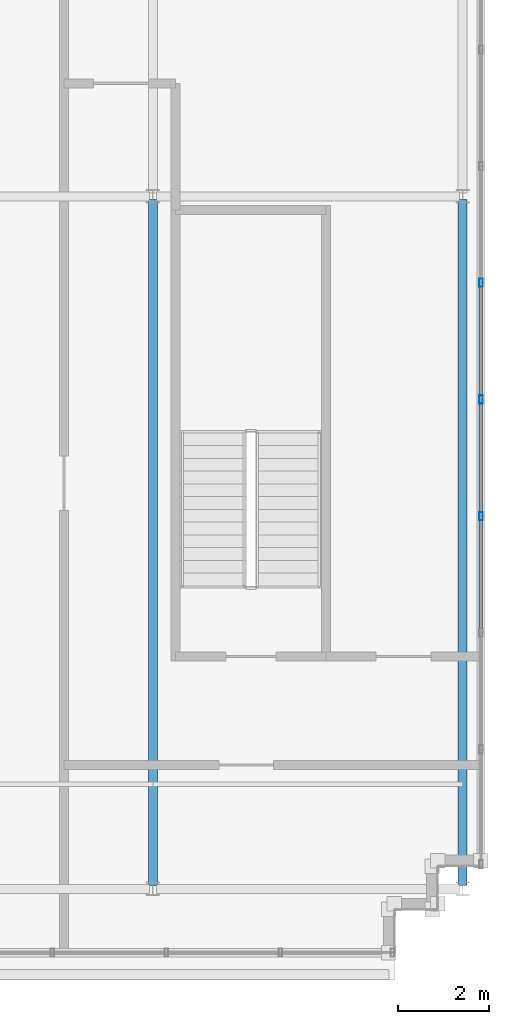
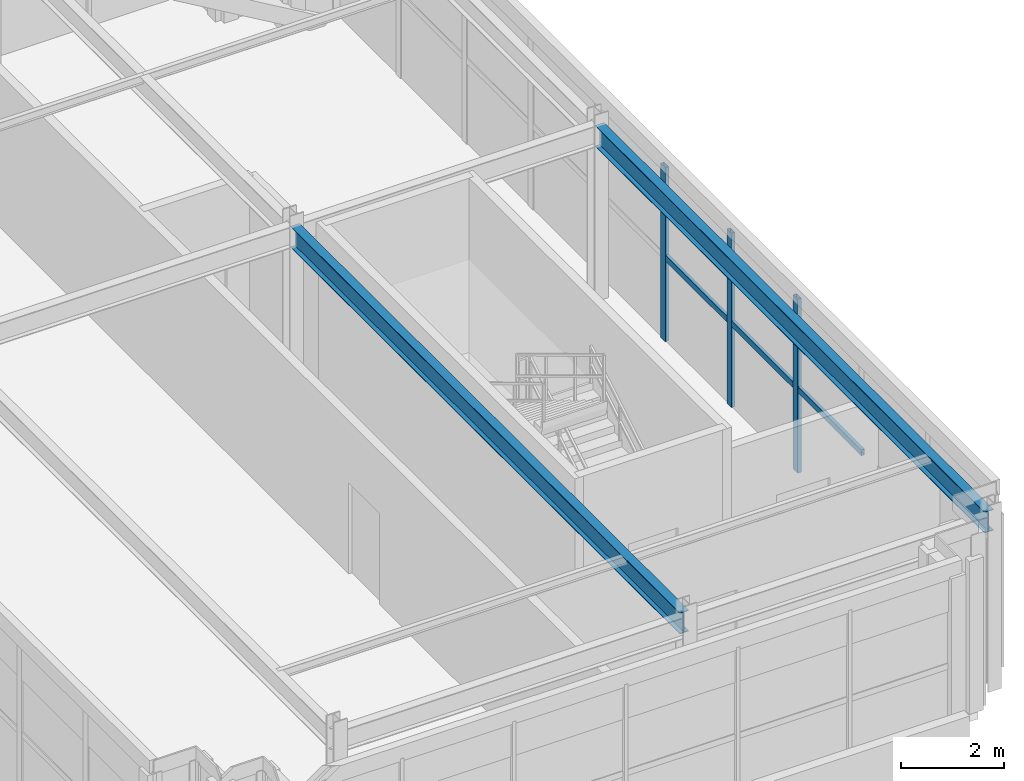
# One storey, part 16 of 28: 6 members, 2 beams, 1 element without a shape of its own.
"""IFC4 building model written with IfcOpenShell, lengths in metres."""

from ifc_helpers import new_model, si_unit, direction, frame, origin, origin_2d, place, context, subcontext, project, spatial, hollow_rectangle, i_section, extrude, source, transform, mapped, material, material_profile, profile_set, type_object, element, aggregate, save


model = new_model("IFC4")

# Units and contexts
model_context = context("Model", 3, precision=1e-05, world=origin(), true_north=direction((0.0, 1.0)))
body_context = subcontext(model_context, "Body", "Model", "MODEL_VIEW")
ifc_project = project(units=[si_unit("LENGTHUNIT", "METRE"), si_unit("AREAUNIT", "SQUARE_METRE"), si_unit("VOLUMEUNIT", "CUBIC_METRE"), si_unit("PLANEANGLEUNIT", "RADIAN"), si_unit("MASSUNIT", "GRAM", prefix="KILO")], contexts=[model_context])

# Site, building, storey
site_placement = place(None, origin())
site = spatial("IfcSite", under=ifc_project, at=site_placement, CompositionType="ELEMENT")
building_placement = place(site_placement, origin())
building = spatial("IfcBuilding", under=site, at=building_placement, Name="Trelvane Seafront Commons", CompositionType="ELEMENT")
storey_placement = place(building_placement, frame((0.0, 0.0, 312.300048828125)))
storey = spatial("IfcBuildingStorey", under=building, at=storey_placement, Name="L81", CompositionType="ELEMENT", Elevation=312.300048828125)

# Beams
ifc_material_1 = material(Name="Steel SM355 (S355)", Category="steel")
ifc_material_profile_1 = material_profile(ifc_material_1, i_section(OverallWidth=0.199951171875, OverallDepth=0.5, WebThickness=0.010009765625, FlangeThickness=0.01611328125, at=origin_2d()), Name="H-500x200x10x16")
ifc_profile_set_1 = profile_set([ifc_material_profile_1], Name="Steel SM355 (S355)")
beam_type = type_object("IfcBeamType", Name="STR-BM-H500", PredefinedType="BEAM", material=ifc_profile_set_1)
shared_shape_1 = source(origin(), body_context, "Body", "SweptSolid", [
    extrude(i_section(OverallWidth=0.199951171875, OverallDepth=0.5, WebThickness=0.010009765625, FlangeThickness=0.01611328125, at=origin_2d()), origin(), (0.0, 0.0, 1.0), 15.050048828125),
])
for number, where, z_axis, x_axis, name in (
    (1, (58.800048828125, 18.27490234375, 3.85986328125), (0.0, 1.0, 0.0), (-1.0, 0.0, 0.0), "L81 Primary Girder G-21"),
    (2, (65.60009765625, 18.27490234375, 3.85986328125), (0.0, 1.0, 0.0), (-1.0, 0.0, 0.0), "L81 Primary Girder G-23"),
):
    element("IfcBeam", number, at=place(storey_placement, frame(where, z_axis=z_axis, x_axis=x_axis)), inside=storey, type_object=beam_type, Name=name, PredefinedType="BEAM", context=body_context, shape_type="MappedRepresentation", body=[
        mapped(shared_shape_1, transform((0.0, 0.0, 0.0), x_axis=(1.0, 0.0, 0.0), y_axis=(0.0, 1.0, 0.0), z_axis=(0.0, 0.0, 1.0), scale=1.0)),
    ])

# Curtain wall, members
ifc_material_2 = material(Name="Anodised pale-silver aluminium", Category="aluminium")
curtain_wall_type = type_object("IfcCurtainWallType", Name="ARCH-CW6-CROWN", PredefinedType="NOTDEFINED", material=ifc_material_2)
curtain_wall_placement = place(storey_placement, origin())
curtain_wall = element("IfcCurtainWall", 3, at=curtain_wall_placement, inside=storey, type_object=curtain_wall_type, Name="CW-L81-0150", PredefinedType="NOTDEFINED")
ifc_material_profile_2 = material_profile(ifc_material_2, hollow_rectangle(XDim=0.080078125, YDim=0.179931640625, WallThickness=0.00439453125, at=origin_2d()), Name="MULL-80x180x4.5")
ifc_profile_set_2 = profile_set([ifc_material_profile_2], Name="Anodised pale-silver aluminium")
member_type_1 = type_object("IfcMemberType", Name="ARCH-CW-MULL-180", PredefinedType="MULLION", material=ifc_profile_set_2)
shared_shape_2 = source(origin(), body_context, "Body", "SweptSolid", [
    extrude(hollow_rectangle(XDim=0.080078125, YDim=0.179931640625, WallThickness=0.00439453125, at=origin_2d()), origin(), (0.0, 0.0, 1.0), 4.10986328125),
])
member_1_placement = place(storey_placement, frame((66.0, 31.5, 0.0), z_axis=(0.0, 0.0, 1.0), x_axis=(1.0, 0.0, 0.0)))
member_1 = element("IfcMember", 4, at=member_1_placement, type_object=member_type_1, Name="CW-L81-0150-M05", PredefinedType="MULLION", context=body_context, shape_type="MappedRepresentation", body=[
    mapped(shared_shape_2, transform((0.0, 0.0, 0.0), x_axis=(1.0, 0.0, 0.0), y_axis=(0.0, 1.0, 0.0), z_axis=(0.0, 0.0, 1.0), scale=1.0)),
])
member_2_placement = place(storey_placement, frame((66.0, 28.93994140625, 0.0), z_axis=(0.0, 0.0, 1.0), x_axis=(1.0, 0.0, 0.0)))
member_2 = element("IfcMember", 5, at=member_2_placement, type_object=member_type_1, Name="CW-L81-0150-M06", PredefinedType="MULLION", context=body_context, shape_type="MappedRepresentation", body=[
    mapped(shared_shape_2, transform((0.0, 0.0, 0.0), x_axis=(1.0, 0.0, 0.0), y_axis=(0.0, 1.0, 0.0), z_axis=(0.0, 0.0, 1.0), scale=1.0)),
])
member_3_placement = place(storey_placement, frame((66.0, 26.3798828125, 0.0), z_axis=(0.0, 0.0, 1.0), x_axis=(1.0, 0.0, 0.0)))
member_3 = element("IfcMember", 6, at=member_3_placement, type_object=member_type_1, Name="CW-L81-0150-M07", PredefinedType="MULLION", context=body_context, shape_type="MappedRepresentation", body=[
    mapped(shared_shape_2, transform((0.0, 0.0, 0.0), x_axis=(1.0, 0.0, 0.0), y_axis=(0.0, 1.0, 0.0), z_axis=(0.0, 0.0, 1.0), scale=1.0)),
])
ifc_material_profile_3 = material_profile(ifc_material_2, hollow_rectangle(XDim=0.074951171875, YDim=0.139892578125, WallThickness=0.00390625, at=origin_2d()), Name="TRAN-75x140x4")
ifc_profile_set_3 = profile_set([ifc_material_profile_3], Name="Anodised pale-silver aluminium")
member_type_2 = type_object("IfcMemberType", Name="ARCH-CW-TRAN-140", PredefinedType="USERDEFINED", material=ifc_profile_set_3)
shared_shape_3 = source(origin(), body_context, "Body", "SweptSolid", [
    extrude(hollow_rectangle(XDim=0.074951171875, YDim=0.139892578125, WallThickness=0.00390625, at=origin_2d()), origin(), (0.0, 0.0, 1.0), 2.5361328125),
])
member_4_placement = place(storey_placement, frame((66.0, 31.488037109375, 1.972900390625), z_axis=(0.0, -1.0, 0.0), x_axis=(1.0, 0.0, 0.0)))
member_4 = element("IfcMember", 7, at=member_4_placement, type_object=member_type_2, Name="CW-L81-0150-T05", ObjectType="TRANSOM", PredefinedType="USERDEFINED", context=body_context, shape_type="MappedRepresentation", body=[
    mapped(shared_shape_3, transform((0.0, 0.0, 0.0), x_axis=(1.0, 0.0, 0.0), y_axis=(0.0, 1.0, 0.0), z_axis=(0.0, 0.0, 1.0), scale=1.0)),
])
shared_shape_4 = source(origin(), body_context, "Body", "SweptSolid", [
    extrude(hollow_rectangle(XDim=0.074951171875, YDim=0.139892578125, WallThickness=0.00390625, at=origin_2d()), origin(), (0.0, 0.0, 1.0), 2.535888671875),
])
member_5_placement = place(storey_placement, frame((66.0, 28.927978515625, 1.972900390625), z_axis=(0.0, -1.0, 0.0), x_axis=(1.0, 0.0, 0.0)))
member_5 = element("IfcMember", 8, at=member_5_placement, type_object=member_type_2, Name="CW-L81-0150-T06", ObjectType="TRANSOM", PredefinedType="USERDEFINED", context=body_context, shape_type="MappedRepresentation", body=[
    mapped(shared_shape_4, transform((0.0, 0.0, 0.0), x_axis=(1.0, 0.0, 0.0), y_axis=(0.0, 1.0, 0.0), z_axis=(0.0, 0.0, 1.0), scale=1.0)),
])
member_6_placement = place(storey_placement, frame((66.0, 26.367919921875, 1.972900390625), z_axis=(0.0, -1.0, 0.0), x_axis=(1.0, 0.0, 0.0)))
member_6 = element("IfcMember", 9, at=member_6_placement, type_object=member_type_2, Name="CW-L81-0150-T07", ObjectType="TRANSOM", PredefinedType="USERDEFINED", context=body_context, shape_type="MappedRepresentation", body=[
    mapped(shared_shape_4, transform((0.0, 0.0, 0.0), x_axis=(1.0, 0.0, 0.0), y_axis=(0.0, 1.0, 0.0), z_axis=(0.0, 0.0, 1.0), scale=1.0)),
])
aggregate(curtain_wall, [member_1, member_2, member_3, member_4, member_5, member_6])

save(model, "model.ifc")
